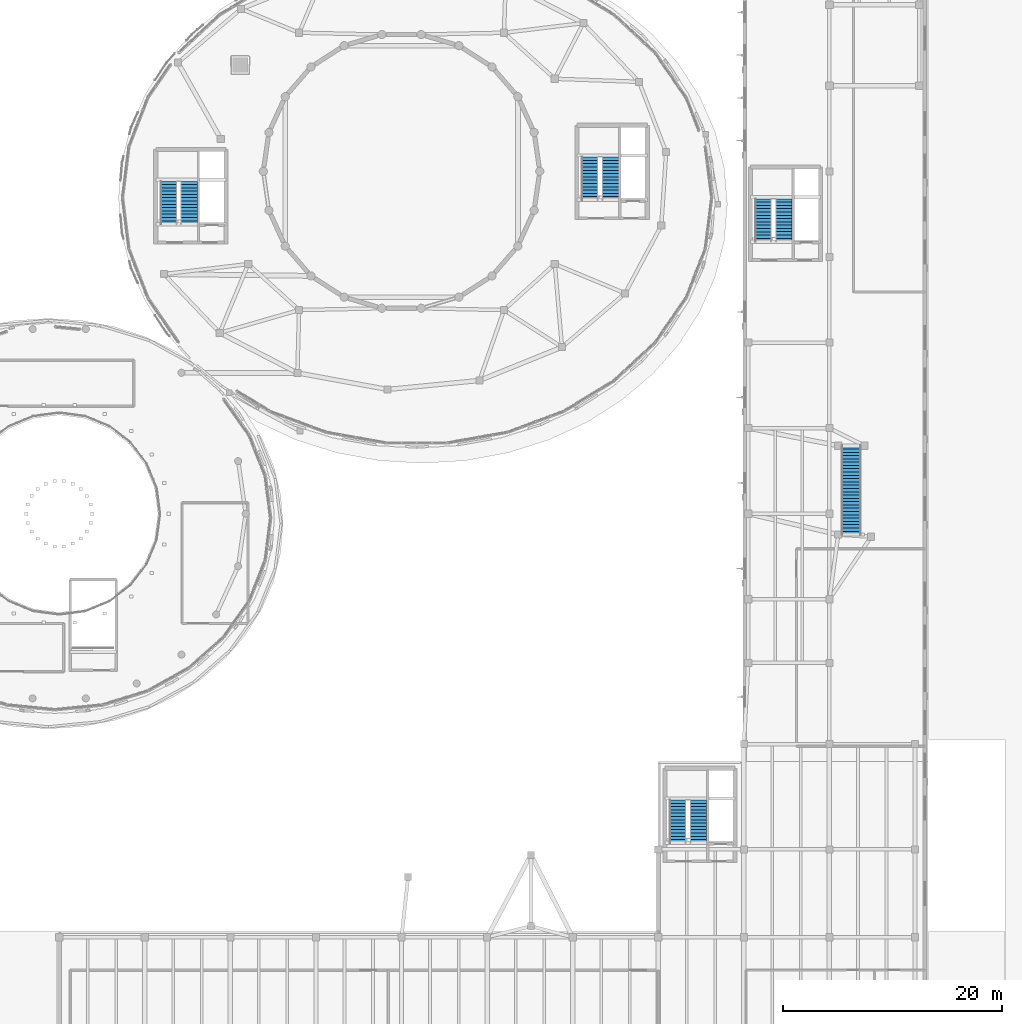
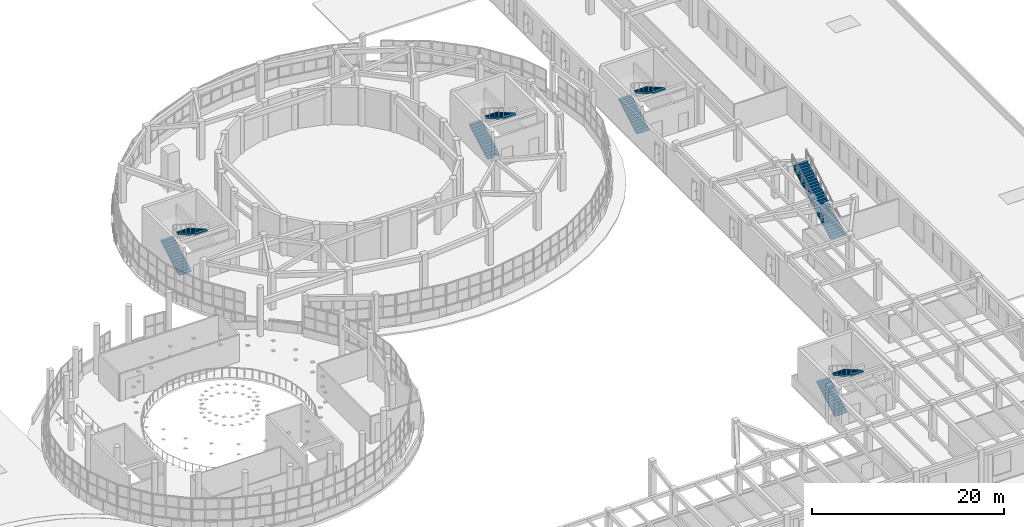
# One storey, part 97 of 105: 9 stair flights, 5 elements without a shape of their own.
"""IFC4 building model written with IfcOpenShell, lengths in metres."""

from ifc_helpers import new_model, si_unit, direction, frame, origin, place, context, subcontext, project, spatial, polyline, outline, extrude, material, layer, layer_set, type_object, element, aggregate, save


model = new_model("IFC4")

# Units and contexts
model_context = context("Model", 3, precision=1e-05, world=origin(), true_north=direction((0.0, 1.0)))
body_context = subcontext(model_context, "Body", "Model", "MODEL_VIEW")
ifc_project = project(units=[si_unit("LENGTHUNIT", "METRE"), si_unit("AREAUNIT", "SQUARE_METRE"), si_unit("VOLUMEUNIT", "CUBIC_METRE"), si_unit("PLANEANGLEUNIT", "RADIAN"), si_unit("MASSUNIT", "GRAM", prefix="KILO")], contexts=[model_context])

# Site, building, storey
site_placement = place(None, origin())
site = spatial("IfcSite", under=ifc_project, at=site_placement, CompositionType="ELEMENT")
building_placement = place(site_placement, origin())
building = spatial("IfcBuilding", under=site, at=building_placement, Name="Pelvatis Terrace Science Centre", CompositionType="ELEMENT")
storey_placement = place(building_placement, frame((0.0, 0.0, 10.199951171875)))
storey = spatial("IfcBuildingStorey", under=building, at=storey_placement, Name="L02", CompositionType="ELEMENT", Elevation=10.199951171875)

# Stair, stair flights
ifc_material_1 = material(Name="Concrete C35/45", Category="concrete")
stair_type_1 = type_object("IfcStairType", Name="STR-2RUN-1500-48", PredefinedType="TWO_STRAIGHT_RUN_STAIR", material=ifc_material_1)
stair_1_placement = place(storey_placement, origin())
stair_1 = element("IfcStair", 1, at=stair_1_placement, inside=storey, type_object=stair_type_1, Name="Protected core stair ST-01-L02", PredefinedType="TWO_STRAIGHT_RUN_STAIR")
ifc_material_2 = material(Name="Concrete C35/45", Category="concrete")
ifc_layer_1 = layer(ifc_material_2, 0.179931640625)
ifc_layer_set_1 = layer_set([ifc_layer_1], Name="Concrete C35/45")
stair_flight_type_1 = type_object("IfcStairFlightType", Name="SFL-RC-1500", PredefinedType="STRAIGHT", material=ifc_layer_set_1)
stair_flight_1_placement = place(storey_placement, frame((87.949951171875, 81.0, 0.0), z_axis=(0.0, 0.0, 1.0), x_axis=(0.0, 1.0, 0.0)))
stair_flight_1 = element("IfcStairFlight", 2, at=stair_flight_1_placement, type_object=stair_flight_type_1, Name="ST-01-L02 flight 1", NumberOfRisers=14, NumberOfTreads=13, PredefinedType="STRAIGHT", RiserHeight=0.171428571, TreadLength=0.3, context=body_context, shape_type="SweptSolid", body=[
    extrude(outline(polyline([(0.0, 0.0), (0.0, 0.17138671875), (0.300048828125, 0.17138671875), (0.300048828125, 0.3427734375), (0.60009765625, 0.3427734375), (0.60009765625, 0.514404296875), (0.89990234375, 0.514404296875), (0.89990234375, 0.685791015625), (1.199951171875, 0.685791015625), (1.199951171875, 0.857177734375), (1.5, 0.857177734375), (1.5, 1.028564453125), (1.800048828125, 1.028564453125), (1.800048828125, 1.199951171875), (2.10009765625, 1.199951171875), (2.10009765625, 1.371337890625), (2.39990234375, 1.371337890625), (2.39990234375, 1.54296875), (2.699951171875, 1.54296875), (2.699951171875, 1.71435546875), (3.0, 1.71435546875), (3.0, 1.8857421875), (3.300048828125, 1.8857421875), (3.300048828125, 2.05712890625), (3.60009765625, 2.05712890625), (3.60009765625, 2.228515625), (3.89990234375, 2.228515625), (3.89990234375, 2.39990234375), (3.89990234375, 2.021240234375), (0.362548828125, 0.0), (0.0, 0.0)])), frame((0.0, 0.75, 0.0), z_axis=(0.0, -1.0, 0.0), x_axis=(1.0, 0.0, 0.0)), (0.0, 0.0, 1.0), 1.5),
])
stair_flight_2_placement = place(storey_placement, frame((89.85009765625, 84.89990234375, 2.400146484375), z_axis=(0.0, 0.0, 1.0), x_axis=(0.0, -1.0, 0.0)))
stair_flight_2 = element("IfcStairFlight", 3, at=stair_flight_2_placement, type_object=stair_flight_type_1, Name="ST-01-L02 flight 2", NumberOfRisers=14, NumberOfTreads=13, PredefinedType="STRAIGHT", RiserHeight=0.171428571, TreadLength=0.3, context=body_context, shape_type="SweptSolid", body=[
    extrude(outline(polyline([(0.0, 0.0), (0.0, 0.17138671875), (0.300048828125, 0.17138671875), (0.300048828125, 0.3427734375), (0.60009765625, 0.3427734375), (0.60009765625, 0.514404296875), (0.89990234375, 0.514404296875), (0.89990234375, 0.685791015625), (1.199951171875, 0.685791015625), (1.199951171875, 0.857177734375), (1.5, 0.857177734375), (1.5, 1.028564453125), (1.800048828125, 1.028564453125), (1.800048828125, 1.199951171875), (2.10009765625, 1.199951171875), (2.10009765625, 1.371337890625), (2.39990234375, 1.371337890625), (2.39990234375, 1.54296875), (2.699951171875, 1.54296875), (2.699951171875, 1.71435546875), (3.0, 1.71435546875), (3.0, 1.8857421875), (3.300048828125, 1.8857421875), (3.300048828125, 2.05712890625), (3.60009765625, 2.05712890625), (3.60009765625, 2.228515625), (3.89990234375, 2.228515625), (3.89990234375, 2.39990234375), (3.89990234375, 2.021240234375), (0.362548828125, 0.0), (0.0, 0.0)])), frame((0.0, 0.75, 0.0), z_axis=(0.0, -1.0, 0.0), x_axis=(1.0, 0.0, 0.0)), (0.0, 0.0, 1.0), 1.5),
])
aggregate(stair_1, [stair_flight_1, stair_flight_2])

stair_2_placement = place(storey_placement, origin())
stair_2 = element("IfcStair", 4, at=stair_2_placement, inside=storey, type_object=stair_type_1, Name="Protected core stair ST-02-L02", PredefinedType="TWO_STRAIGHT_RUN_STAIR")
stair_flight_3_placement = place(storey_placement, frame((126.35009765625, 83.199951171875, 0.0), z_axis=(0.0, 0.0, 1.0), x_axis=(0.0, 1.0, 0.0)))
stair_flight_3 = element("IfcStairFlight", 5, at=stair_flight_3_placement, type_object=stair_flight_type_1, Name="ST-02-L02 flight 1", NumberOfRisers=14, NumberOfTreads=13, PredefinedType="STRAIGHT", RiserHeight=0.171428571, TreadLength=0.3, context=body_context, shape_type="SweptSolid", body=[
    extrude(outline(polyline([(0.0, 0.0), (0.0, 0.17138671875), (0.300048828125, 0.17138671875), (0.300048828125, 0.3427734375), (0.60009765625, 0.3427734375), (0.60009765625, 0.514404296875), (0.89990234375, 0.514404296875), (0.89990234375, 0.685791015625), (1.199951171875, 0.685791015625), (1.199951171875, 0.857177734375), (1.5, 0.857177734375), (1.5, 1.028564453125), (1.800048828125, 1.028564453125), (1.800048828125, 1.199951171875), (2.10009765625, 1.199951171875), (2.10009765625, 1.371337890625), (2.39990234375, 1.371337890625), (2.39990234375, 1.54296875), (2.699951171875, 1.54296875), (2.699951171875, 1.71435546875), (3.0, 1.71435546875), (3.0, 1.8857421875), (3.300048828125, 1.8857421875), (3.300048828125, 2.05712890625), (3.60009765625, 2.05712890625), (3.60009765625, 2.228515625), (3.89990234375, 2.228515625), (3.89990234375, 2.39990234375), (3.89990234375, 2.021240234375), (0.362548828125, 0.0), (0.0, 0.0)])), frame((0.0, 0.75, 0.0), z_axis=(0.0, -1.0, 0.0), x_axis=(1.0, 0.0, 0.0)), (0.0, 0.0, 1.0), 1.5),
])
stair_flight_4_placement = place(storey_placement, frame((128.25, 87.10009765625, 2.400146484375), z_axis=(0.0, 0.0, 1.0), x_axis=(0.0, -1.0, 0.0)))
stair_flight_4 = element("IfcStairFlight", 6, at=stair_flight_4_placement, type_object=stair_flight_type_1, Name="ST-02-L02 flight 2", NumberOfRisers=14, NumberOfTreads=13, PredefinedType="STRAIGHT", RiserHeight=0.171428571, TreadLength=0.3, context=body_context, shape_type="SweptSolid", body=[
    extrude(outline(polyline([(0.0, 0.0), (0.0, 0.17138671875), (0.300048828125, 0.17138671875), (0.300048828125, 0.3427734375), (0.60009765625, 0.3427734375), (0.60009765625, 0.514404296875), (0.89990234375, 0.514404296875), (0.89990234375, 0.685791015625), (1.199951171875, 0.685791015625), (1.199951171875, 0.857177734375), (1.5, 0.857177734375), (1.5, 1.028564453125), (1.800048828125, 1.028564453125), (1.800048828125, 1.199951171875), (2.10009765625, 1.199951171875), (2.10009765625, 1.371337890625), (2.39990234375, 1.371337890625), (2.39990234375, 1.54296875), (2.699951171875, 1.54296875), (2.699951171875, 1.71435546875), (3.0, 1.71435546875), (3.0, 1.8857421875), (3.300048828125, 1.8857421875), (3.300048828125, 2.05712890625), (3.60009765625, 2.05712890625), (3.60009765625, 2.228515625), (3.89990234375, 2.228515625), (3.89990234375, 2.39990234375), (3.89990234375, 2.021240234375), (0.362548828125, 0.0), (0.0, 0.0)])), frame((0.0, 0.75, 0.0), z_axis=(0.0, -1.0, 0.0), x_axis=(1.0, 0.0, 0.0)), (0.0, 0.0, 1.0), 1.5),
])
aggregate(stair_2, [stair_flight_3, stair_flight_4])

stair_3_placement = place(storey_placement, origin())
stair_3 = element("IfcStair", 7, at=stair_3_placement, inside=storey, type_object=stair_type_1, Name="Protected core stair ST-03-L02", PredefinedType="TWO_STRAIGHT_RUN_STAIR")
stair_flight_5_placement = place(storey_placement, frame((142.14990234375, 79.39990234375, 0.0), z_axis=(0.0, 0.0, 1.0), x_axis=(0.0, 1.0, 0.0)))
stair_flight_5 = element("IfcStairFlight", 8, at=stair_flight_5_placement, type_object=stair_flight_type_1, Name="ST-03-L02 flight 1", NumberOfRisers=14, NumberOfTreads=13, PredefinedType="STRAIGHT", RiserHeight=0.171428571, TreadLength=0.3, context=body_context, shape_type="SweptSolid", body=[
    extrude(outline(polyline([(0.0, 0.0), (0.0, 0.17138671875), (0.300048828125, 0.17138671875), (0.300048828125, 0.3427734375), (0.60009765625, 0.3427734375), (0.60009765625, 0.514404296875), (0.89990234375, 0.514404296875), (0.89990234375, 0.685791015625), (1.199951171875, 0.685791015625), (1.199951171875, 0.857177734375), (1.5, 0.857177734375), (1.5, 1.028564453125), (1.800048828125, 1.028564453125), (1.800048828125, 1.199951171875), (2.10009765625, 1.199951171875), (2.10009765625, 1.371337890625), (2.39990234375, 1.371337890625), (2.39990234375, 1.54296875), (2.699951171875, 1.54296875), (2.699951171875, 1.71435546875), (3.0, 1.71435546875), (3.0, 1.8857421875), (3.300048828125, 1.8857421875), (3.300048828125, 2.05712890625), (3.60009765625, 2.05712890625), (3.60009765625, 2.228515625), (3.89990234375, 2.228515625), (3.89990234375, 2.39990234375), (3.89990234375, 2.021240234375), (0.362548828125, 0.0), (0.0, 0.0)])), frame((0.0, 0.75, 0.0), z_axis=(0.0, -1.0, 0.0), x_axis=(1.0, 0.0, 0.0)), (0.0, 0.0, 1.0), 1.5),
])
stair_flight_6_placement = place(storey_placement, frame((144.050048828125, 83.300048828125, 2.400146484375), z_axis=(0.0, 0.0, 1.0), x_axis=(0.0, -1.0, 0.0)))
stair_flight_6 = element("IfcStairFlight", 9, at=stair_flight_6_placement, type_object=stair_flight_type_1, Name="ST-03-L02 flight 2", NumberOfRisers=14, NumberOfTreads=13, PredefinedType="STRAIGHT", RiserHeight=0.171428571, TreadLength=0.3, context=body_context, shape_type="SweptSolid", body=[
    extrude(outline(polyline([(0.0, 0.0), (0.0, 0.17138671875), (0.300048828125, 0.17138671875), (0.300048828125, 0.3427734375), (0.60009765625, 0.3427734375), (0.60009765625, 0.514404296875), (0.89990234375, 0.514404296875), (0.89990234375, 0.685791015625), (1.199951171875, 0.685791015625), (1.199951171875, 0.857177734375), (1.5, 0.857177734375), (1.5, 1.028564453125), (1.800048828125, 1.028564453125), (1.800048828125, 1.199951171875), (2.10009765625, 1.199951171875), (2.10009765625, 1.371337890625), (2.39990234375, 1.371337890625), (2.39990234375, 1.54296875), (2.699951171875, 1.54296875), (2.699951171875, 1.71435546875), (3.0, 1.71435546875), (3.0, 1.8857421875), (3.300048828125, 1.8857421875), (3.300048828125, 2.05712890625), (3.60009765625, 2.05712890625), (3.60009765625, 2.228515625), (3.89990234375, 2.228515625), (3.89990234375, 2.39990234375), (3.89990234375, 2.021240234375), (0.362548828125, 0.0), (0.0, 0.0)])), frame((0.0, 0.75, 0.0), z_axis=(0.0, -1.0, 0.0), x_axis=(1.0, 0.0, 0.0)), (0.0, 0.0, 1.0), 1.5),
])
aggregate(stair_3, [stair_flight_5, stair_flight_6])

stair_4_placement = place(storey_placement, origin())
stair_4 = element("IfcStair", 10, at=stair_4_placement, inside=storey, type_object=stair_type_1, Name="Protected core stair ST-04-L02", PredefinedType="TWO_STRAIGHT_RUN_STAIR")
stair_flight_7_placement = place(storey_placement, frame((134.35009765625, 24.60009765625, 0.0), z_axis=(0.0, 0.0, 1.0), x_axis=(0.0, 1.0, 0.0)))
stair_flight_7 = element("IfcStairFlight", 11, at=stair_flight_7_placement, type_object=stair_flight_type_1, Name="ST-04-L02 flight 1", NumberOfRisers=14, NumberOfTreads=13, PredefinedType="STRAIGHT", RiserHeight=0.171428571, TreadLength=0.3, context=body_context, shape_type="SweptSolid", body=[
    extrude(outline(polyline([(0.0, 0.0), (0.0, 0.17138671875), (0.300048828125, 0.17138671875), (0.300048828125, 0.3427734375), (0.60009765625, 0.3427734375), (0.60009765625, 0.514404296875), (0.89990234375, 0.514404296875), (0.89990234375, 0.685791015625), (1.199951171875, 0.685791015625), (1.199951171875, 0.857177734375), (1.5, 0.857177734375), (1.5, 1.028564453125), (1.800048828125, 1.028564453125), (1.800048828125, 1.199951171875), (2.10009765625, 1.199951171875), (2.10009765625, 1.371337890625), (2.39990234375, 1.371337890625), (2.39990234375, 1.54296875), (2.699951171875, 1.54296875), (2.699951171875, 1.71435546875), (3.0, 1.71435546875), (3.0, 1.8857421875), (3.300048828125, 1.8857421875), (3.300048828125, 2.05712890625), (3.60009765625, 2.05712890625), (3.60009765625, 2.228515625), (3.89990234375, 2.228515625), (3.89990234375, 2.39990234375), (3.89990234375, 2.021240234375), (0.362548828125, 0.0), (0.0, 0.0)])), frame((0.0, 0.75, 0.0), z_axis=(0.0, -1.0, 0.0), x_axis=(1.0, 0.0, 0.0)), (0.0, 0.0, 1.0), 1.5),
])
stair_flight_8_placement = place(storey_placement, frame((136.25, 28.5, 2.400146484375), z_axis=(0.0, 0.0, 1.0), x_axis=(0.0, -1.0, 0.0)))
stair_flight_8 = element("IfcStairFlight", 12, at=stair_flight_8_placement, type_object=stair_flight_type_1, Name="ST-04-L02 flight 2", NumberOfRisers=14, NumberOfTreads=13, PredefinedType="STRAIGHT", RiserHeight=0.171428571, TreadLength=0.3, context=body_context, shape_type="SweptSolid", body=[
    extrude(outline(polyline([(0.0, 0.0), (0.0, 0.17138671875), (0.300048828125, 0.17138671875), (0.300048828125, 0.3427734375), (0.60009765625, 0.3427734375), (0.60009765625, 0.514404296875), (0.89990234375, 0.514404296875), (0.89990234375, 0.685791015625), (1.199951171875, 0.685791015625), (1.199951171875, 0.857177734375), (1.5, 0.857177734375), (1.5, 1.028564453125), (1.800048828125, 1.028564453125), (1.800048828125, 1.199951171875), (2.10009765625, 1.199951171875), (2.10009765625, 1.371337890625), (2.39990234375, 1.371337890625), (2.39990234375, 1.54296875), (2.699951171875, 1.54296875), (2.699951171875, 1.71435546875), (3.0, 1.71435546875), (3.0, 1.8857421875), (3.300048828125, 1.8857421875), (3.300048828125, 2.05712890625), (3.60009765625, 2.05712890625), (3.60009765625, 2.228515625), (3.89990234375, 2.228515625), (3.89990234375, 2.39990234375), (3.89990234375, 2.021240234375), (0.362548828125, 0.0), (0.0, 0.0)])), frame((0.0, 0.75, 0.0), z_axis=(0.0, -1.0, 0.0), x_axis=(1.0, 0.0, 0.0)), (0.0, 0.0, 1.0), 1.5),
])
aggregate(stair_4, [stair_flight_7, stair_flight_8])

# Stair, stair flight
ifc_material_3 = material(Name="Concrete C35/45", Category="concrete")
stair_type_2 = type_object("IfcStairType", Name="STR-1RUN-1750-48", PredefinedType="STRAIGHT_RUN_STAIR", material=ifc_material_3)
stair_5_placement = place(storey_placement, origin())
stair_5 = element("IfcStair", 13, at=stair_5_placement, inside=storey, type_object=stair_type_2, Name="Monumental straight stair FST-05", PredefinedType="STRAIGHT_RUN_STAIR")
ifc_material_4 = material(Name="Concrete C35/45", Category="concrete")
ifc_layer_2 = layer(ifc_material_4, 0.195068359375)
ifc_layer_set_2 = layer_set([ifc_layer_2], Name="Concrete C35/45")
stair_flight_type_2 = type_object("IfcStairFlightType", Name="SFL-RC-1750", PredefinedType="STRAIGHT", material=ifc_layer_set_2)
stair_flight_9_placement = place(storey_placement, frame((150.199951171875, 52.699951171875, 0.0), z_axis=(0.0, 0.0, 1.0), x_axis=(0.0, 1.0, 0.0)))
stair_flight_9 = element("IfcStairFlight", 14, at=stair_flight_9_placement, type_object=stair_flight_type_2, Name="FST-05 flight 1", NumberOfRisers=28, NumberOfTreads=27, PredefinedType="STRAIGHT", RiserHeight=0.171428571, TreadLength=0.3, context=body_context, shape_type="SweptSolid", body=[
    extrude(outline(polyline([(0.0, 0.0), (0.0, 0.17138671875), (0.300048828125, 0.17138671875), (0.300048828125, 0.3427734375), (0.60009765625, 0.3427734375), (0.60009765625, 0.514404296875), (0.89990234375, 0.514404296875), (0.89990234375, 0.685791015625), (1.199951171875, 0.685791015625), (1.199951171875, 0.857177734375), (1.5, 0.857177734375), (1.5, 1.028564453125), (1.800048828125, 1.028564453125), (1.800048828125, 1.199951171875), (2.10009765625, 1.199951171875), (2.10009765625, 1.371337890625), (2.39990234375, 1.371337890625), (2.39990234375, 1.54296875), (2.699951171875, 1.54296875), (2.699951171875, 1.71435546875), (3.0, 1.71435546875), (3.0, 1.8857421875), (3.300048828125, 1.8857421875), (3.300048828125, 2.05712890625), (3.60009765625, 2.05712890625), (3.60009765625, 2.228515625), (3.89990234375, 2.228515625), (3.89990234375, 2.39990234375), (4.199951171875, 2.39990234375), (4.199951171875, 2.571533203125), (4.5, 2.571533203125), (4.5, 2.742919921875), (4.800048828125, 2.742919921875), (4.800048828125, 2.914306640625), (5.10009765625, 2.914306640625), (5.10009765625, 3.085693359375), (5.39990234375, 3.085693359375), (5.39990234375, 3.257080078125), (5.699951171875, 3.257080078125), (5.699951171875, 3.428466796875), (6.0, 3.428466796875), (6.0, 3.60009765625), (6.300048828125, 3.60009765625), (6.300048828125, 3.771484375), (6.60009765625, 3.771484375), (6.60009765625, 3.94287109375), (6.89990234375, 3.94287109375), (6.89990234375, 4.1142578125), (7.199951171875, 4.1142578125), (7.199951171875, 4.28564453125), (7.5, 4.28564453125), (7.5, 4.45703125), (7.800048828125, 4.45703125), (7.800048828125, 4.628662109375), (8.10009765625, 4.628662109375), (8.10009765625, 4.800048828125), (8.10009765625, 4.40380859375), (0.39306640625, 0.0), (0.0, 0.0)])), frame((0.0, 0.875, 0.0), z_axis=(0.0, -1.0, 0.0), x_axis=(1.0, 0.0, 0.0)), (0.0, 0.0, 1.0), 1.75),
])
aggregate(stair_5, [stair_flight_9])

save(model, "model.ifc")
